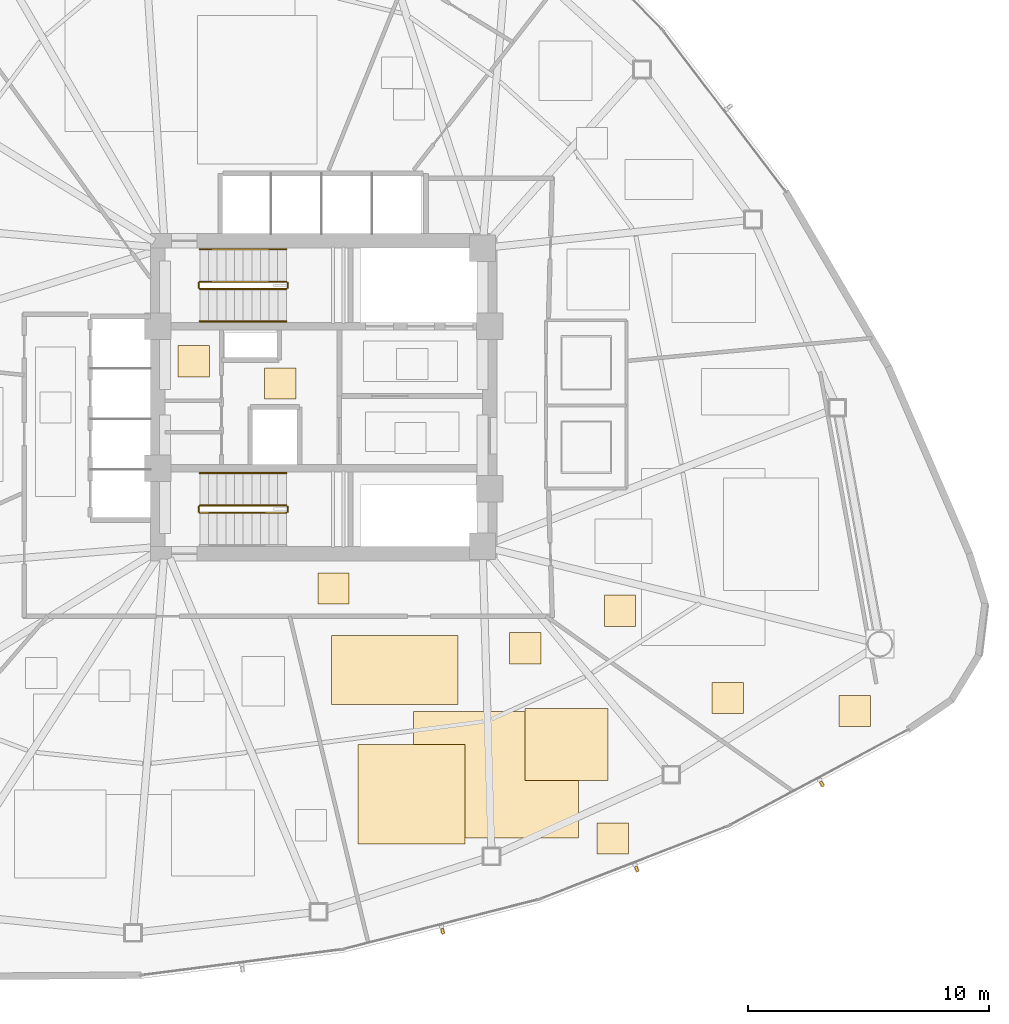
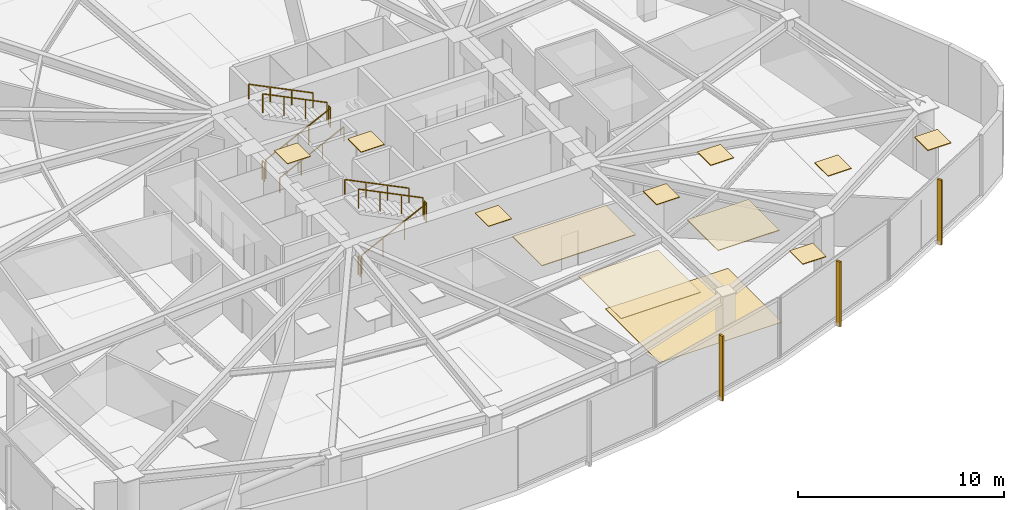
# One storey, part 15 of 17: 12 coverings, 11 railings, 3 shading devices.
"""IFC4 building model written with IfcOpenShell, lengths in metres."""

from ifc_helpers import new_model, si_unit, direction, frame, origin, origin_2d, place, context, subcontext, project, spatial, polyline, rectangle, outline, extrude, source, transform, mapped, material, layer, layer_set, type_object, type_shapes, element, save


model = new_model("IFC4")

# Units and contexts
model_context = context("Model", 3, precision=1e-05, world=origin(), true_north=direction((0.0, 1.0)))
body_context = subcontext(model_context, "Body", "Model", "MODEL_VIEW")
ifc_project = project(units=[si_unit("LENGTHUNIT", "METRE"), si_unit("AREAUNIT", "SQUARE_METRE"), si_unit("VOLUMEUNIT", "CUBIC_METRE"), si_unit("PLANEANGLEUNIT", "RADIAN"), si_unit("MASSUNIT", "GRAM", prefix="KILO")], contexts=[model_context])

# Site, building, storey
site_placement = place(None, origin())
site = spatial("IfcSite", under=ifc_project, at=site_placement, CompositionType="ELEMENT")
building_placement = place(site_placement, origin())
building = spatial("IfcBuilding", under=site, at=building_placement, Name="Tavelor Broadcast Tower", CompositionType="ELEMENT")
storey_placement = place(building_placement, frame((0.0, 0.0, 70.5)))
storey = spatial("IfcBuildingStorey", under=building, at=storey_placement, Name="L16", CompositionType="ELEMENT", Elevation=70.5)

# Railings
ifc_material_1 = material(Name="Steel S355", Category="steel")
railing_type_1 = type_object("IfcRailingType", Name="Continuous Brushed Stainless Handrail 900 mm", PredefinedType="HANDRAIL", material=ifc_material_1)
railing_1_placement = place(storey_placement, frame((44.85009765625, 48.14990234375, 0.17724609375)))
element("IfcRailing", 1, at=railing_1_placement, inside=storey, type_object=railing_type_1, Name="L16 ST1 stair handrail 1", PredefinedType="HANDRAIL", context=body_context, shape_type="SweptSolid", body=[
    extrude(rectangle(XDim=0.048095703125, YDim=0.048095703125, at=origin_2d()), frame((0.0, 0.0, 0.8759765625), z_axis=(0.897124305991, 0.0, 0.441778201817), x_axis=(0.0, 1.0, 0.0)), (0.0, 0.0, 1.0), 4.0126953125),
    extrude(rectangle(XDim=0.0419921875, YDim=0.0419921875, at=origin_2d()), origin(), (0.0, 0.0, 1.0), 0.851806640625),
    extrude(rectangle(XDim=0.0419921875, YDim=0.0419921875, at=origin_2d()), frame((1.199951171875, 0.0, 0.5908203125)), (0.0, 0.0, 1.0), 0.851806640625),
    extrude(rectangle(XDim=0.0419921875, YDim=0.0419921875, at=origin_2d()), frame((2.39990234375, 0.0, 1.181884765625)), (0.0, 0.0, 1.0), 0.851806640625),
    extrude(rectangle(XDim=0.0419921875, YDim=0.0419921875, at=origin_2d()), frame((3.599853515625, 0.0, 1.772705078125)), (0.0, 0.0, 1.0), 0.851806640625),
])
for number, where, name in (
    (2, (48.449951171875, 51.14990234375, 2.127197265625), "L16 ST1 stair handrail 2"),
    (3, (48.449951171875, 41.85009765625, 2.127197265625), "L16 ST2 stair handrail 2"),
):
    element("IfcRailing", number, at=place(storey_placement, frame(where)), inside=storey, type_object=railing_type_1, Name=name, PredefinedType="HANDRAIL", context=body_context, shape_type="SweptSolid", body=[
        extrude(rectangle(XDim=0.048095703125, YDim=0.048095703125, at=origin_2d()), frame((0.0, 0.0, 0.8759765625), z_axis=(-0.897124305991, 0.0, 0.441778201817), x_axis=(0.0, -1.0, 0.0)), (0.0, 0.0, 1.0), 4.0126953125),
        extrude(rectangle(XDim=0.0419921875, YDim=0.0419921875, at=origin_2d()), origin(), (0.0, 0.0, 1.0), 0.851806640625),
        extrude(rectangle(XDim=0.0419921875, YDim=0.0419921875, at=origin_2d()), frame((-1.199951171875, 0.0, 0.5908203125)), (0.0, 0.0, 1.0), 0.851806640625),
        extrude(rectangle(XDim=0.0419921875, YDim=0.0419921875, at=origin_2d()), frame((-2.39990234375, 0.0, 1.181884765625)), (0.0, 0.0, 1.0), 0.851806640625),
        extrude(rectangle(XDim=0.0419921875, YDim=0.0419921875, at=origin_2d()), frame((-3.599853515625, 0.0, 1.772705078125)), (0.0, 0.0, 1.0), 0.851806640625),
    ])

# Coverings
ifc_material_2 = material(Name="Architectural Anodized Aluminium", Category="aluminium")
ifc_layer_1 = layer(ifc_material_2, 0.034912109375)
ifc_layer_set_1 = layer_set([ifc_layer_1], Name="Architectural Anodized Aluminium")
covering_type_1 = type_object("IfcCoveringType", Name="Demountable Metal Tile Corridor Ceiling 35 mm", PredefinedType="CEILING", material=ifc_layer_set_1)
covering_1_placement = place(storey_placement, frame((0.0, 0.0, 3.56494140625)))
element("IfcCovering", 4, at=covering_1_placement, inside=storey, type_object=covering_type_1, Name="L16 Suspended Acoustic Ceiling 0641", PredefinedType="CEILING", context=body_context, shape_type="SweptSolid", body=[
    extrude(outline(polyline([(49.75244140625, 36.39990234375), (51.052490234375, 36.39990234375), (51.052490234375, 37.699951171875), (49.75244140625, 37.699951171875), (49.75244140625, 36.39990234375)])), origin(), (0.0, 0.0, 1.0), 0.03515625),
])
ifc_material_3 = material(Name="Acoustic Nylon Carpet Tile")
ifc_layer_2 = layer(ifc_material_3, 0.02001953125)
ifc_layer_set_2 = layer_set([ifc_layer_2], Name="Acoustic Nylon Carpet Tile")
covering_type_2 = type_object("IfcCoveringType", Name="Heavy-Duty Acoustic Broadcast Carpet Tile 20 mm", PredefinedType="FLOORING", material=ifc_layer_set_2)
covering_2_placement = place(storey_placement, origin())
element("IfcCovering", 5, at=covering_2_placement, inside=storey, type_object=covering_type_2, Name="L16 Broadcast Floor Finish 0232", PredefinedType="FLOORING", context=body_context, shape_type="SweptSolid", body=[
    extrude(outline(polyline([(53.725830078125, 26.690673828125), (60.58154296875, 26.690673828125), (60.58154296875, 31.945068359375), (53.725830078125, 31.945068359375), (53.725830078125, 26.690673828125)])), origin(), (0.0, 0.0, 1.0), 0.02001953125),
])
ifc_layer_3 = layer(ifc_material_2, 0.030029296875)
ifc_layer_set_3 = layer_set([ifc_layer_3], Name="Architectural Anodized Aluminium")
covering_type_3 = type_object("IfcCoveringType", Name="Moisture-Resistant Washroom Ceiling 30 mm", PredefinedType="CEILING", material=ifc_layer_set_3)
covering_3_placement = place(storey_placement, frame((0.0, 0.0, 3.570068359375)))
element("IfcCovering", 6, at=covering_3_placement, inside=storey, type_object=covering_type_3, Name="L16 Suspended Acoustic Ceiling 0639", PredefinedType="CEILING", context=body_context, shape_type="SweptSolid", body=[
    extrude(outline(polyline([(43.951416015625, 45.843017578125), (45.25146484375, 45.843017578125), (45.25146484375, 47.14306640625), (43.951416015625, 47.14306640625), (43.951416015625, 45.843017578125)])), origin(), (0.0, 0.0, 1.0), 0.030029296875),
])

# Railings
railing_type_2 = type_object("IfcRailingType", Name="Stairwell Steel Safety Guardrail 1150 mm", PredefinedType="GUARDRAIL", material=ifc_material_1)
railing_2_placement = place(storey_placement, frame((44.85009765625, 49.5, 0.17724609375)))
element("IfcRailing", 7, at=railing_2_placement, inside=storey, type_object=railing_type_2, Name="L16 ST1 stair guard 1", PredefinedType="GUARDRAIL", context=body_context, shape_type="SweptSolid", body=[
    extrude(rectangle(XDim=0.048095703125, YDim=0.048095703125, at=origin_2d()), frame((0.0, 0.0, 1.1259765625), z_axis=(0.897124305991, 0.0, 0.441778201817), x_axis=(0.0, 1.0, 0.0)), (0.0, 0.0, 1.0), 4.0126953125),
    extrude(rectangle(XDim=0.0419921875, YDim=0.0419921875, at=origin_2d()), origin(), (0.0, 0.0, 1.0), 1.101806640625),
    extrude(rectangle(XDim=0.0419921875, YDim=0.0419921875, at=origin_2d()), frame((1.199951171875, 0.0, 0.5908203125)), (0.0, 0.0, 1.0), 1.101806640625),
    extrude(rectangle(XDim=0.0419921875, YDim=0.0419921875, at=origin_2d()), frame((2.39990234375, 0.0, 1.181884765625)), (0.0, 0.0, 1.0), 1.101806640625),
    extrude(rectangle(XDim=0.0419921875, YDim=0.0419921875, at=origin_2d()), frame((3.599853515625, 0.0, 1.772705078125)), (0.0, 0.0, 1.0), 1.101806640625),
])
railing_3_placement = place(storey_placement, frame((48.5, 49.550048828125, 1.949951171875)))
element("IfcRailing", 8, at=railing_3_placement, inside=storey, type_object=railing_type_2, Name="L16 ST1 stair guard 2", PredefinedType="GUARDRAIL", context=body_context, shape_type="SweptSolid", body=[
    extrude(rectangle(XDim=0.048095703125, YDim=0.048095703125, at=origin_2d()), frame((0.0, 0.0, 1.1259765625), z_axis=(0.0, 1.0, 0.0), x_axis=(-1.0, 0.0, 0.0)), (0.0, 0.0, 1.0), 0.199951171875),
    extrude(rectangle(XDim=0.0419921875, YDim=0.0419921875, at=origin_2d()), origin(), (0.0, 0.0, 1.0), 1.101806640625),
    extrude(rectangle(XDim=0.0419921875, YDim=0.0419921875, at=origin_2d()), frame((0.0, 0.199951171875, 0.0)), (0.0, 0.0, 1.0), 1.101806640625),
])
railing_4_placement = place(storey_placement, frame((48.449951171875, 49.800048828125, 2.127197265625)))
element("IfcRailing", 9, at=railing_4_placement, inside=storey, type_object=railing_type_2, Name="L16 ST1 stair guard 3", PredefinedType="GUARDRAIL", context=body_context, shape_type="SweptSolid", body=[
    extrude(rectangle(XDim=0.048095703125, YDim=0.048095703125, at=origin_2d()), frame((0.0, 0.0, 1.1259765625), z_axis=(-0.897124305991, 0.0, 0.441778201817), x_axis=(0.0, -1.0, 0.0)), (0.0, 0.0, 1.0), 4.0126953125),
    extrude(rectangle(XDim=0.0419921875, YDim=0.0419921875, at=origin_2d()), origin(), (0.0, 0.0, 1.0), 1.101806640625),
    extrude(rectangle(XDim=0.0419921875, YDim=0.0419921875, at=origin_2d()), frame((-1.199951171875, 0.0, 0.5908203125)), (0.0, 0.0, 1.0), 1.101806640625),
    extrude(rectangle(XDim=0.0419921875, YDim=0.0419921875, at=origin_2d()), frame((-2.39990234375, 0.0, 1.181884765625)), (0.0, 0.0, 1.0), 1.101806640625),
    extrude(rectangle(XDim=0.0419921875, YDim=0.0419921875, at=origin_2d()), frame((-3.599853515625, 0.0, 1.772705078125)), (0.0, 0.0, 1.0), 1.101806640625),
])
railing_5_placement = place(storey_placement, frame((44.800048828125, 49.550048828125, 0.0)))
element("IfcRailing", 10, at=railing_5_placement, inside=storey, type_object=railing_type_2, Name="L16 ST1 stair guard 4", PredefinedType="GUARDRAIL", context=body_context, shape_type="SweptSolid", body=[
    extrude(rectangle(XDim=0.048095703125, YDim=0.048095703125, at=origin_2d()), frame((0.0, 0.0, 1.1259765625), z_axis=(0.0, 1.0, 0.0), x_axis=(-1.0, 0.0, 0.0)), (0.0, 0.0, 1.0), 0.199951171875),
    extrude(rectangle(XDim=0.0419921875, YDim=0.0419921875, at=origin_2d()), origin(), (0.0, 0.0, 1.0), 1.101806640625),
    extrude(rectangle(XDim=0.0419921875, YDim=0.0419921875, at=origin_2d()), frame((0.0, 0.199951171875, 0.0)), (0.0, 0.0, 1.0), 1.101806640625),
])
railing_6_placement = place(storey_placement, frame((44.85009765625, 40.199951171875, 0.17724609375)))
element("IfcRailing", 11, at=railing_6_placement, inside=storey, type_object=railing_type_2, Name="L16 ST2 stair guard 1", PredefinedType="GUARDRAIL", context=body_context, shape_type="SweptSolid", body=[
    extrude(rectangle(XDim=0.048095703125, YDim=0.048095703125, at=origin_2d()), frame((0.0, 0.0, 1.1259765625), z_axis=(0.897124305991, 0.0, 0.441778201817), x_axis=(0.0, 1.0, 0.0)), (0.0, 0.0, 1.0), 4.0126953125),
    extrude(rectangle(XDim=0.0419921875, YDim=0.0419921875, at=origin_2d()), origin(), (0.0, 0.0, 1.0), 1.101806640625),
    extrude(rectangle(XDim=0.0419921875, YDim=0.0419921875, at=origin_2d()), frame((1.199951171875, 0.0, 0.5908203125)), (0.0, 0.0, 1.0), 1.101806640625),
    extrude(rectangle(XDim=0.0419921875, YDim=0.0419921875, at=origin_2d()), frame((2.39990234375, 0.0, 1.181884765625)), (0.0, 0.0, 1.0), 1.101806640625),
    extrude(rectangle(XDim=0.0419921875, YDim=0.0419921875, at=origin_2d()), frame((3.599853515625, 0.0, 1.772705078125)), (0.0, 0.0, 1.0), 1.101806640625),
])
railing_7_placement = place(storey_placement, frame((48.5, 40.25, 1.949951171875)))
element("IfcRailing", 12, at=railing_7_placement, inside=storey, type_object=railing_type_2, Name="L16 ST2 stair guard 2", PredefinedType="GUARDRAIL", context=body_context, shape_type="SweptSolid", body=[
    extrude(rectangle(XDim=0.048095703125, YDim=0.048095703125, at=origin_2d()), frame((0.0, 0.0, 1.1259765625), z_axis=(0.0, 1.0, 0.0), x_axis=(-1.0, 0.0, 0.0)), (0.0, 0.0, 1.0), 0.199951171875),
    extrude(rectangle(XDim=0.0419921875, YDim=0.0419921875, at=origin_2d()), origin(), (0.0, 0.0, 1.0), 1.101806640625),
    extrude(rectangle(XDim=0.0419921875, YDim=0.0419921875, at=origin_2d()), frame((0.0, 0.199951171875, 0.0)), (0.0, 0.0, 1.0), 1.101806640625),
])
railing_8_placement = place(storey_placement, frame((48.449951171875, 40.5, 2.127197265625)))
element("IfcRailing", 13, at=railing_8_placement, inside=storey, type_object=railing_type_2, Name="L16 ST2 stair guard 3", PredefinedType="GUARDRAIL", context=body_context, shape_type="SweptSolid", body=[
    extrude(rectangle(XDim=0.048095703125, YDim=0.048095703125, at=origin_2d()), frame((0.0, 0.0, 1.1259765625), z_axis=(-0.897124305991, 0.0, 0.441778201817), x_axis=(0.0, -1.0, 0.0)), (0.0, 0.0, 1.0), 4.0126953125),
    extrude(rectangle(XDim=0.0419921875, YDim=0.0419921875, at=origin_2d()), origin(), (0.0, 0.0, 1.0), 1.101806640625),
    extrude(rectangle(XDim=0.0419921875, YDim=0.0419921875, at=origin_2d()), frame((-1.199951171875, 0.0, 0.5908203125)), (0.0, 0.0, 1.0), 1.101806640625),
    extrude(rectangle(XDim=0.0419921875, YDim=0.0419921875, at=origin_2d()), frame((-2.39990234375, 0.0, 1.181884765625)), (0.0, 0.0, 1.0), 1.101806640625),
    extrude(rectangle(XDim=0.0419921875, YDim=0.0419921875, at=origin_2d()), frame((-3.599853515625, 0.0, 1.772705078125)), (0.0, 0.0, 1.0), 1.101806640625),
])
railing_9_placement = place(storey_placement, frame((44.800048828125, 40.25, 0.0)))
element("IfcRailing", 14, at=railing_9_placement, inside=storey, type_object=railing_type_2, Name="L16 ST2 stair guard 4", PredefinedType="GUARDRAIL", context=body_context, shape_type="SweptSolid", body=[
    extrude(rectangle(XDim=0.048095703125, YDim=0.048095703125, at=origin_2d()), frame((0.0, 0.0, 1.1259765625), z_axis=(0.0, 1.0, 0.0), x_axis=(-1.0, 0.0, 0.0)), (0.0, 0.0, 1.0), 0.199951171875),
    extrude(rectangle(XDim=0.0419921875, YDim=0.0419921875, at=origin_2d()), origin(), (0.0, 0.0, 1.0), 1.101806640625),
    extrude(rectangle(XDim=0.0419921875, YDim=0.0419921875, at=origin_2d()), frame((0.0, 0.199951171875, 0.0)), (0.0, 0.0, 1.0), 1.101806640625),
])

# Coverings
ifc_material_4 = material(Name="Acoustic Mineral Fibre Tile")
ifc_layer_4 = layer(ifc_material_4, 0.0400390625)
ifc_layer_set_4 = layer_set([ifc_layer_4], Name="Acoustic Mineral Fibre Tile")
covering_type_4 = type_object("IfcCoveringType", Name="Suspended Acoustic Mineral-Fibre Office Ceiling 40 mm", PredefinedType="CEILING", material=ifc_layer_set_4)
covering_4_placement = place(storey_placement, frame((0.0, 0.0, 3.56005859375)))
element("IfcCovering", 15, at=covering_4_placement, inside=storey, type_object=covering_type_4, Name="L16 Suspended Acoustic Ceiling 0638", PredefinedType="CEILING", context=body_context, shape_type="SweptSolid", body=[
    extrude(outline(polyline([(47.544921875, 44.919921875), (48.844970703125, 44.919921875), (48.844970703125, 46.219970703125), (47.544921875, 46.219970703125), (47.544921875, 44.919921875)])), origin(), (0.0, 0.0, 1.0), 0.0400390625),
])
covering_5_placement = place(storey_placement, frame((0.0, 0.0, 3.56005859375)))
element("IfcCovering", 16, at=covering_5_placement, inside=storey, type_object=covering_type_4, Name="L16 Suspended Acoustic Ceiling 0673", PredefinedType="CEILING", context=body_context, shape_type="SweptSolid", body=[
    extrude(outline(polyline([(66.142333984375, 31.8544921875), (67.4423828125, 31.8544921875), (67.4423828125, 33.154296875), (66.142333984375, 33.154296875), (66.142333984375, 31.8544921875)])), origin(), (0.0, 0.0, 1.0), 0.0400390625),
])
covering_6_placement = place(storey_placement, frame((0.0, 0.0, 3.56005859375)))
element("IfcCovering", 17, at=covering_6_placement, inside=storey, type_object=covering_type_4, Name="L16 Suspended Acoustic Ceiling 0674", PredefinedType="CEILING", context=body_context, shape_type="SweptSolid", body=[
    extrude(outline(polyline([(71.414794921875, 31.310302734375), (72.71484375, 31.310302734375), (72.71484375, 32.6103515625), (71.414794921875, 32.6103515625), (71.414794921875, 31.310302734375)])), origin(), (0.0, 0.0, 1.0), 0.0400390625),
])
covering_7_placement = place(storey_placement, frame((0.0, 0.0, 3.56005859375)))
element("IfcCovering", 18, at=covering_7_placement, inside=storey, type_object=covering_type_4, Name="L16 Suspended Acoustic Ceiling 0675", PredefinedType="CEILING", context=body_context, shape_type="SweptSolid", body=[
    extrude(outline(polyline([(61.66748046875, 35.481201171875), (62.96728515625, 35.481201171875), (62.96728515625, 36.781005859375), (61.66748046875, 36.781005859375), (61.66748046875, 35.481201171875)])), origin(), (0.0, 0.0, 1.0), 0.0400390625),
])
covering_8_placement = place(storey_placement, frame((0.0, 0.0, 3.56005859375)))
element("IfcCovering", 19, at=covering_8_placement, inside=storey, type_object=covering_type_4, Name="L16 Suspended Acoustic Ceiling 0676", PredefinedType="CEILING", context=body_context, shape_type="SweptSolid", body=[
    extrude(outline(polyline([(61.357177734375, 26.0107421875), (62.6572265625, 26.0107421875), (62.6572265625, 27.310791015625), (61.357177734375, 27.310791015625), (61.357177734375, 26.0107421875)])), origin(), (0.0, 0.0, 1.0), 0.0400390625),
])
covering_9_placement = place(storey_placement, frame((0.0, 0.0, 3.56005859375)))
element("IfcCovering", 20, at=covering_9_placement, inside=storey, type_object=covering_type_4, Name="L16 Suspended Acoustic Ceiling 0677", PredefinedType="CEILING", context=body_context, shape_type="SweptSolid", body=[
    extrude(outline(polyline([(51.41943359375, 26.4287109375), (55.881591796875, 26.4287109375), (55.881591796875, 30.56640625), (51.41943359375, 30.56640625), (51.41943359375, 26.4287109375)])), origin(), (0.0, 0.0, 1.0), 0.0400390625),
])
covering_10_placement = place(storey_placement, frame((0.0, 0.0, 3.56005859375)))
element("IfcCovering", 21, at=covering_10_placement, inside=storey, type_object=covering_type_4, Name="L16 Suspended Acoustic Ceiling 0678", PredefinedType="CEILING", context=body_context, shape_type="SweptSolid", body=[
    extrude(outline(polyline([(50.332275390625, 32.220947265625), (55.577880859375, 32.220947265625), (55.577880859375, 35.09423828125), (50.332275390625, 35.09423828125), (50.332275390625, 32.220947265625)])), origin(), (0.0, 0.0, 1.0), 0.0400390625),
])
covering_11_placement = place(storey_placement, frame((0.0, 0.0, 3.56005859375)))
element("IfcCovering", 22, at=covering_11_placement, inside=storey, type_object=covering_type_4, Name="L16 Suspended Acoustic Ceiling 0679", PredefinedType="CEILING", context=body_context, shape_type="SweptSolid", body=[
    extrude(outline(polyline([(57.73095703125, 33.91650390625), (59.031005859375, 33.91650390625), (59.031005859375, 35.216552734375), (57.73095703125, 35.216552734375), (57.73095703125, 33.91650390625)])), origin(), (0.0, 0.0, 1.0), 0.0400390625),
])
covering_12_placement = place(storey_placement, frame((0.0, 0.0, 3.56005859375)))
element("IfcCovering", 23, at=covering_12_placement, inside=storey, type_object=covering_type_4, Name="L16 Suspended Acoustic Ceiling 0680", PredefinedType="CEILING", context=body_context, shape_type="SweptSolid", body=[
    extrude(outline(polyline([(58.373779296875, 29.06640625), (61.811279296875, 29.06640625), (61.811279296875, 32.069091796875), (58.373779296875, 32.069091796875), (58.373779296875, 29.06640625)])), origin(), (0.0, 0.0, 1.0), 0.0400390625),
])

# Shading devices
ifc_material_5 = material(Name="Kiln-Fired Glazed Terracotta", Category="masonry")
shading_device_type = type_object("IfcShadingDeviceType", Name="Extruded Terracotta Baguette Sun-Screen 110x240", PredefinedType="JALOUSIE", material=ifc_material_5)
shared_shape = source(origin(), body_context, "Body", "SweptSolid", [
    extrude(rectangle(XDim=0.110107421875, YDim=0.239990234375, at=origin_2d()), origin(), (0.0, 0.0, 1.0), 3.840087890625),
])
type_shapes(shading_device_type, [shared_shape])
for number, where, z_axis, x_axis, name in (
    (24, (54.945068359375, 22.804931640625, -0.26025390625), (0.0, 0.0, 1.0), (0.969144926951, 0.246491603437, 0.0), "L16 Terracotta Baguette Fin 150"),
    (25, (63.01123046875, 25.38720703125, -0.26025390625), (0.0, 0.0, 1.0), (0.932134327241, 0.36211268409, 0.0), "L16 Terracotta Baguette Fin 151"),
    (26, (70.705810546875, 28.92626953125, -0.26025390625), (0.0, 0.0, 1.0), (0.881468349704, 0.472243103147, 0.0), "L16 Terracotta Baguette Fin 152"),
):
    element("IfcShadingDevice", number, at=place(storey_placement, frame(where, z_axis=z_axis, x_axis=x_axis)), inside=storey, type_object=shading_device_type, Name=name, PredefinedType="JALOUSIE", context=body_context, shape_type="MappedRepresentation", body=[
        mapped(shared_shape, transform((0.0, 0.0, 0.0), scale=1.0)),
    ])

save(model, "model.ifc")
